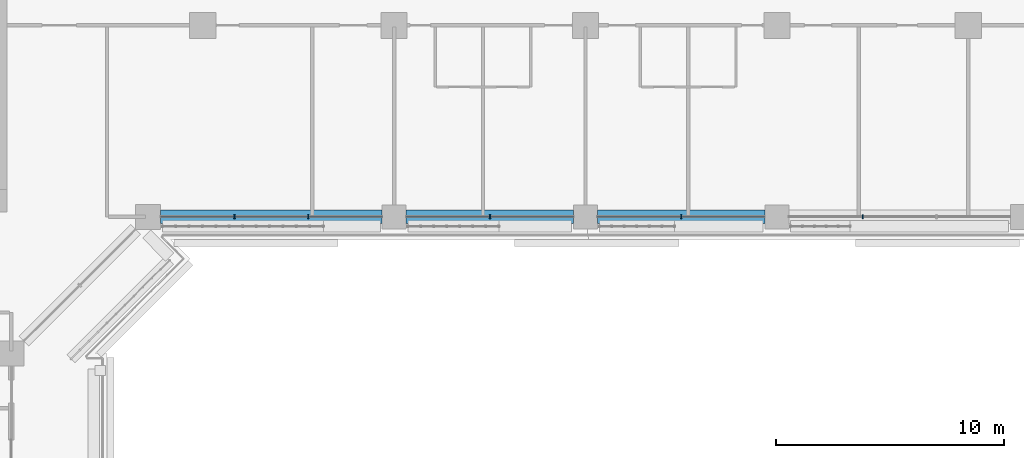
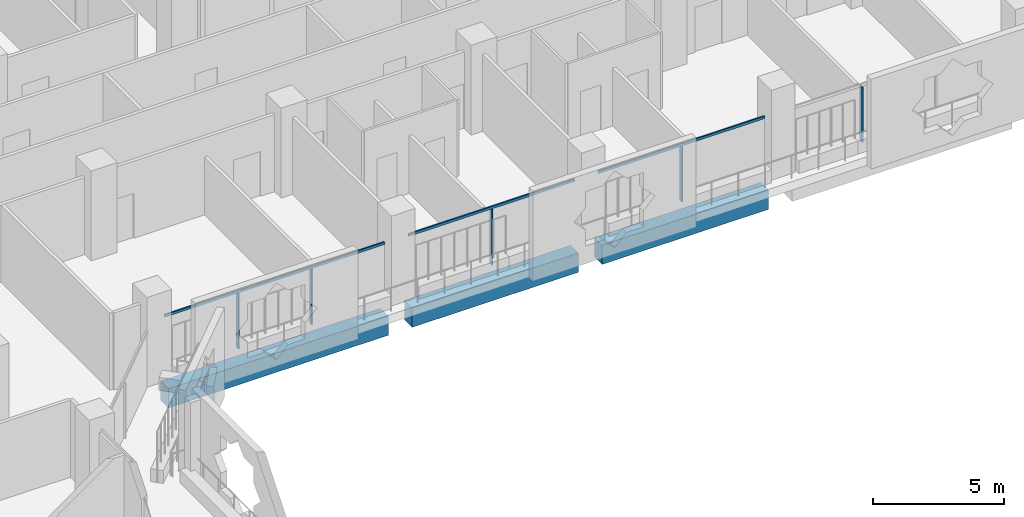
# One storey, part 6 of 25: 8 members, 3 beams, 1 element without a shape of its own.
"""IFC4 building model written with IfcOpenShell, lengths in metres."""

from ifc_helpers import new_model, si_unit, direction, frame, origin, origin_2d, place, context, subcontext, project, spatial, rectangle, extrude, material, layer, layer_set, material_profile, profile_set, type_object, element, aggregate, save


model = new_model("IFC4")

# Units and contexts
model_context = context("Model", 3, precision=1e-05, world=origin(), true_north=direction((0.0, 1.0)))
body_context = subcontext(model_context, "Body", "Model", "MODEL_VIEW")
ifc_project = project(units=[si_unit("LENGTHUNIT", "METRE"), si_unit("AREAUNIT", "SQUARE_METRE"), si_unit("VOLUMEUNIT", "CUBIC_METRE"), si_unit("PLANEANGLEUNIT", "RADIAN"), si_unit("MASSUNIT", "GRAM", prefix="KILO")], contexts=[model_context])

# Site, building, storey
site_placement = place(None, origin())
site = spatial("IfcSite", under=ifc_project, at=site_placement, CompositionType="ELEMENT")
building_placement = place(site_placement, origin())
building = spatial("IfcBuilding", under=site, at=building_placement, Name="Kawkab Arch Medical Tower", CompositionType="ELEMENT")
storey_placement = place(building_placement, frame((0.0, 0.0, 124.0)))
storey = spatial("IfcBuildingStorey", under=building, at=storey_placement, Name="L28", CompositionType="ELEMENT", Elevation=124.0)

# Curtain wall, members
ifc_material_1 = material(Name="Bronze anodised aluminium curtain wall frame", Category="aluminium")
ifc_layer = layer(ifc_material_1, 0.159912109375)
ifc_layer_set = layer_set([ifc_layer], Name="Bronze anodised aluminium curtain wall frame")
curtain_wall_type = type_object("IfcCurtainWallType", Name="CW1 ward curtain wall", PredefinedType="NOTDEFINED", material=ifc_layer_set)
curtain_wall_placement = place(storey_placement, origin())
curtain_wall = element("IfcCurtainWall", 1, at=curtain_wall_placement, inside=storey, type_object=curtain_wall_type, Name="CW1 Ward curtain wall R07", PredefinedType="NOTDEFINED")
ifc_material_2 = material(Name="Bronze anodised aluminium curtain wall frame", Category="aluminium")
ifc_material_profile_1 = material_profile(ifc_material_2, rectangle(XDim=0.179931640625, YDim=0.06005859375, at=origin_2d()), Name="AL 60x180")
ifc_profile_set_1 = profile_set([ifc_material_profile_1], Name="Bronze anodised aluminium curtain wall frame")
member_type_1 = type_object("IfcMemberType", Name="CW1 mullion 60 x 180", PredefinedType="MULLION", material=ifc_profile_set_1)
member_1_placement = place(storey_placement, frame((34.99169921875, -25.199951171875, 0.0), z_axis=(0.0, 0.0, 1.0), x_axis=(0.0, 1.0, 0.0)))
member_1 = element("IfcMember", 2, at=member_1_placement, type_object=member_type_1, Name="CW1 mullion 1.1", PredefinedType="MULLION", context=body_context, shape_type="SweptSolid", body=[
    extrude(rectangle(XDim=0.179931640625, YDim=0.06005859375, at=origin_2d()), origin(), (0.0, 0.0, 1.0), 2.580078125),
])
member_2_placement = place(storey_placement, frame((38.2333984375, -25.199951171875, 0.0), z_axis=(0.0, 0.0, 1.0), x_axis=(0.0, 1.0, 0.0)))
member_2 = element("IfcMember", 3, at=member_2_placement, type_object=member_type_1, Name="CW1 mullion 1.2", PredefinedType="MULLION", context=body_context, shape_type="SweptSolid", body=[
    extrude(rectangle(XDim=0.179931640625, YDim=0.06005859375, at=origin_2d()), origin(), (0.0, 0.0, 1.0), 2.580078125),
])
member_3_placement = place(storey_placement, frame((46.199951171875, -25.199951171875, 0.0), z_axis=(0.0, 0.0, 1.0), x_axis=(0.0, 1.0, 0.0)))
member_3 = element("IfcMember", 4, at=member_3_placement, type_object=member_type_1, Name="CW1 mullion 2.1", PredefinedType="MULLION", context=body_context, shape_type="SweptSolid", body=[
    extrude(rectangle(XDim=0.179931640625, YDim=0.06005859375, at=origin_2d()), origin(), (0.0, 0.0, 1.0), 2.580078125),
])
member_4_placement = place(storey_placement, frame((54.60009765625, -25.199951171875, 0.0), z_axis=(0.0, 0.0, 1.0), x_axis=(0.0, 1.0, 0.0)))
member_4 = element("IfcMember", 5, at=member_4_placement, type_object=member_type_1, Name="CW1 mullion 3.1", PredefinedType="MULLION", context=body_context, shape_type="SweptSolid", body=[
    extrude(rectangle(XDim=0.179931640625, YDim=0.06005859375, at=origin_2d()), origin(), (0.0, 0.0, 1.0), 2.580078125),
])
member_5_placement = place(storey_placement, frame((62.566650390625, -25.199951171875, 0.0), z_axis=(0.0, 0.0, 1.0), x_axis=(0.0, 1.0, 0.0)))
member_5 = element("IfcMember", 6, at=member_5_placement, type_object=member_type_1, Name="CW1 mullion 4.1", PredefinedType="MULLION", context=body_context, shape_type="SweptSolid", body=[
    extrude(rectangle(XDim=0.179931640625, YDim=0.06005859375, at=origin_2d()), origin(), (0.0, 0.0, 1.0), 2.580078125),
])
ifc_material_3 = material(Name="Bronze anodised aluminium curtain wall frame", Category="aluminium")
ifc_material_profile_2 = material_profile(ifc_material_3, rectangle(XDim=0.06005859375, YDim=0.1201171875, at=origin_2d()), Name="AL 60x120")
ifc_profile_set_2 = profile_set([ifc_material_profile_2], Name="Bronze anodised aluminium curtain wall frame")
member_type_2 = type_object("IfcMemberType", Name="CW1 transom 120 x 60", PredefinedType="USERDEFINED", material=ifc_profile_set_2)
member_6_placement = place(storey_placement, frame((31.75, -25.199951171875, 2.639892578125), z_axis=(1.0, 0.0, 0.0), x_axis=(0.0, 1.0, 0.0)))
member_6 = element("IfcMember", 7, at=member_6_placement, type_object=member_type_2, Name="CW1 transom 1", ObjectType="TRANSOM", PredefinedType="USERDEFINED", context=body_context, shape_type="SweptSolid", body=[
    extrude(rectangle(XDim=0.06005859375, YDim=0.1201171875, at=origin_2d()), origin(), (0.0, 0.0, 1.0), 9.72509765625),
])
member_7_placement = place(storey_placement, frame((42.52490234375, -25.199951171875, 2.639892578125), z_axis=(1.0, 0.0, 0.0), x_axis=(0.0, 1.0, 0.0)))
member_7 = element("IfcMember", 8, at=member_7_placement, type_object=member_type_2, Name="CW1 transom 2", ObjectType="TRANSOM", PredefinedType="USERDEFINED", context=body_context, shape_type="SweptSolid", body=[
    extrude(rectangle(XDim=0.06005859375, YDim=0.1201171875, at=origin_2d()), origin(), (0.0, 0.0, 1.0), 7.35009765625),
])
member_8_placement = place(storey_placement, frame((50.925048828125, -25.199951171875, 2.639892578125), z_axis=(1.0, 0.0, 0.0), x_axis=(0.0, 1.0, 0.0)))
member_8 = element("IfcMember", 9, at=member_8_placement, type_object=member_type_2, Name="CW1 transom 3", ObjectType="TRANSOM", PredefinedType="USERDEFINED", context=body_context, shape_type="SweptSolid", body=[
    extrude(rectangle(XDim=0.06005859375, YDim=0.1201171875, at=origin_2d()), origin(), (0.0, 0.0, 1.0), 7.349853515625),
])
aggregate(curtain_wall, [member_6, member_1, member_2, member_7, member_3, member_8, member_4, member_5])

# Beams
ifc_material_4 = material(Name="Concrete C55/67", Category="concrete")
ifc_material_profile_3 = material_profile(ifc_material_4, rectangle(XDim=0.60009765625, YDim=0.89990234375, at=origin_2d()), Name="RC 600x900")
ifc_profile_set_3 = profile_set([ifc_material_profile_3], Name="Concrete C55/67")
beam_type = type_object("IfcBeamType", Name="RC 600x900 beam C55/67", PredefinedType="BEAM", material=ifc_profile_set_3)
beam_1_placement = place(storey_placement, frame((58.27490234375, -25.199951171875, -1.050048828125), z_axis=(-1.0, 0.0, 0.0), x_axis=(0.0, -1.0, 0.0)))
element("IfcBeam", 10, at=beam_1_placement, inside=storey, type_object=beam_type, Name="Overhang edge beam L28-03", PredefinedType="BEAM", context=body_context, shape_type="SweptSolid", body=[
    extrude(rectangle(XDim=0.60009765625, YDim=0.89990234375, at=origin_2d()), origin(), (0.0, 0.0, 1.0), 7.349853515625),
])
beam_2_placement = place(storey_placement, frame((49.875, -25.199951171875, -1.050048828125), z_axis=(-1.0, 0.0, 0.0), x_axis=(0.0, -1.0, 0.0)))
element("IfcBeam", 11, at=beam_2_placement, inside=storey, type_object=beam_type, Name="Overhang edge beam L28-04", PredefinedType="BEAM", context=body_context, shape_type="SweptSolid", body=[
    extrude(rectangle(XDim=0.60009765625, YDim=0.89990234375, at=origin_2d()), origin(), (0.0, 0.0, 1.0), 7.35009765625),
])
beam_3_placement = place(storey_placement, frame((41.47509765625, -25.199951171875, -1.050048828125), z_axis=(-1.0, 0.0, 0.0), x_axis=(0.0, -1.0, 0.0)))
element("IfcBeam", 12, at=beam_3_placement, inside=storey, type_object=beam_type, Name="Overhang edge beam L28-05", PredefinedType="BEAM", context=body_context, shape_type="SweptSolid", body=[
    extrude(rectangle(XDim=0.60009765625, YDim=0.89990234375, at=origin_2d()), origin(), (0.0, 0.0, 1.0), 9.72509765625),
])

save(model, "model.ifc")
